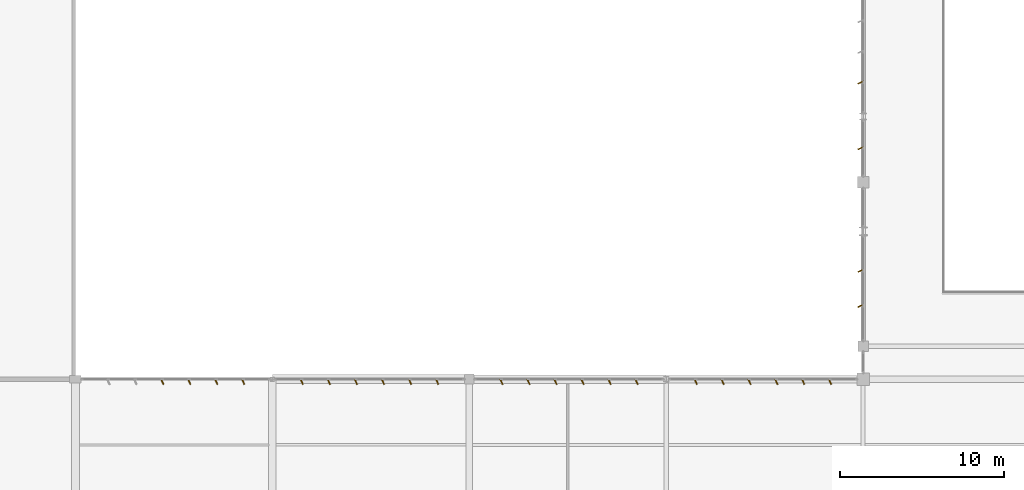
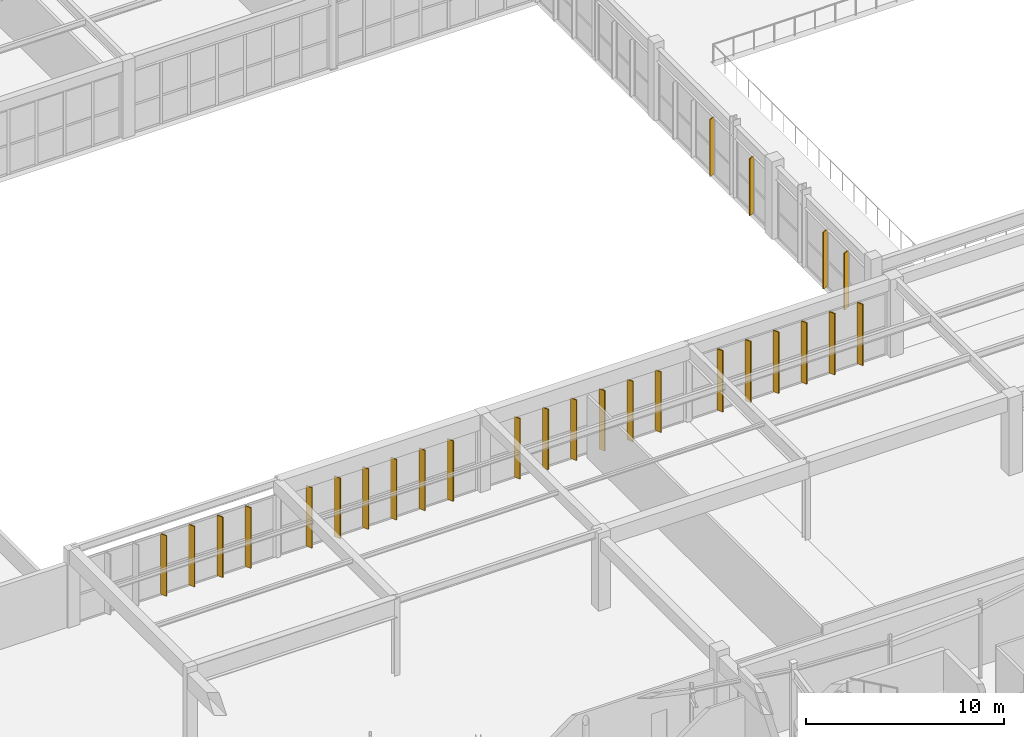
# One storey, part 169 of 186: 26 shading devices.
"""IFC4 building model written with IfcOpenShell, lengths in metres."""

from ifc_helpers import new_model, si_unit, direction, frame, origin, origin_2d, place, context, subcontext, project, spatial, rectangle, extrude, material, layer, layer_set, type_object, element, save


model = new_model("IFC4")

# Units and contexts
model_context = context("Model", 3, precision=1e-05, world=origin(), true_north=direction((0.0, 1.0)))
body_context = subcontext(model_context, "Body", "Model", "MODEL_VIEW")
ifc_project = project(units=[si_unit("LENGTHUNIT", "METRE"), si_unit("AREAUNIT", "SQUARE_METRE"), si_unit("VOLUMEUNIT", "CUBIC_METRE"), si_unit("PLANEANGLEUNIT", "RADIAN"), si_unit("MASSUNIT", "GRAM", prefix="KILO")], contexts=[model_context])

# Site, building, storey
site_placement = place(None, origin())
site = spatial("IfcSite", under=ifc_project, at=site_placement, CompositionType="ELEMENT")
building_placement = place(site_placement, origin())
building = spatial("IfcBuilding", under=site, at=building_placement, Name="Tarnwether General Hospital", CompositionType="ELEMENT")
storey_placement = place(building_placement, frame((0.0, 0.0, 9.60009765625)))
storey = spatial("IfcBuildingStorey", under=building, at=storey_placement, Name="L02", CompositionType="ELEMENT", Elevation=9.60009765625)

# Shading devices
ifc_material = material(Name="Champagne-bronze anodised aluminium", Category="aluminium")
ifc_layer = layer(ifc_material, 0.06005859375)
ifc_layer_set = layer_set([ifc_layer], Name="Champagne-bronze anodised aluminium")
shading_device_type = type_object("IfcShadingDeviceType", Name="SH-FIN-BRZ", PredefinedType="USERDEFINED", material=ifc_layer_set)
for number, where, z_axis, x_axis, name in (
    (1, (107.840087890625, 50.069091796875, 0.0498046875), (0.0, 0.0, 1.0), (-0.422618261741, 0.906307787037, 0.0), "Champagne-Bronze Brise-Soleil Fin 0432"),
    (2, (107.840087890625, 52.2060546875, 0.0498046875), (0.0, 0.0, 1.0), (-0.422618261741, 0.906307787037, 0.0), "Champagne-Bronze Brise-Soleil Fin 0433"),
    (3, (107.840087890625, 59.675048828125, 0.0498046875), (0.0, 0.0, 1.0), (-0.422618261741, 0.906307787037, 0.0), "Champagne-Bronze Brise-Soleil Fin 0434"),
    (4, (107.840087890625, 63.678955078125, 0.0498046875), (0.0, 0.0, 1.0), (-0.422618261741, 0.906307787037, 0.0), "Champagne-Bronze Brise-Soleil Fin 0435"),
):
    element("IfcShadingDevice", number, at=place(storey_placement, frame(where, z_axis=z_axis, x_axis=x_axis)), inside=storey, type_object=shading_device_type, Name=name, ObjectType="SOLAR FIN", PredefinedType="USERDEFINED", context=body_context, shape_type="SweptSolid", body=[
        extrude(rectangle(XDim=0.06005859375, YDim=0.360107421875, at=origin_2d()), origin(), (0.0, 0.0, 1.0), 3.514892578125),
    ])
for number, where, z_axis, x_axis, name in (
    (5, (105.98095703125, 45.43994140625, 0.0498046875), (0.0, 0.0, 1.0), (-0.906307787037, -0.422618261741, 0.0), "Champagne-Bronze Brise-Soleil Fin 0442"),
    (6, (104.343994140625, 45.43994140625, 0.0498046875), (0.0, 0.0, 1.0), (-0.906307787037, -0.422618261741, 0.0), "Champagne-Bronze Brise-Soleil Fin 0443"),
    (7, (102.7080078125, 45.43994140625, 0.0498046875), (0.0, 0.0, 1.0), (-0.906307787037, -0.422618261741, 0.0), "Champagne-Bronze Brise-Soleil Fin 0444"),
    (8, (101.071044921875, 45.43994140625, 0.0498046875), (0.0, 0.0, 1.0), (-0.906307787037, -0.422618261741, 0.0), "Champagne-Bronze Brise-Soleil Fin 0445"),
    (9, (99.43408203125, 45.43994140625, 0.0498046875), (0.0, 0.0, 1.0), (-0.906307787037, -0.422618261741, 0.0), "Champagne-Bronze Brise-Soleil Fin 0446"),
    (10, (97.798095703125, 45.43994140625, 0.0498046875), (0.0, 0.0, 1.0), (-0.906307787037, -0.422618261741, 0.0), "Champagne-Bronze Brise-Soleil Fin 0447"),
):
    element("IfcShadingDevice", number, at=place(storey_placement, frame(where, z_axis=z_axis, x_axis=x_axis)), inside=storey, type_object=shading_device_type, Name=name, ObjectType="SOLAR FIN", PredefinedType="USERDEFINED", context=body_context, shape_type="SweptSolid", body=[
        extrude(rectangle(XDim=0.06005859375, YDim=0.360107421875, at=origin_2d()), origin(), (0.0, 0.0, 1.0), 3.784912109375),
    ])
for number, where, z_axis, x_axis, name in (
    (11, (94.19091796875, 45.43994140625, 0.0498046875), (0.0, 0.0, 1.0), (-0.906307787037, -0.422618261741, 0.0), "Champagne-Bronze Brise-Soleil Fin 0448"),
    (12, (92.5439453125, 45.43994140625, 0.0498046875), (0.0, 0.0, 1.0), (-0.906307787037, -0.422618261741, 0.0), "Champagne-Bronze Brise-Soleil Fin 0449"),
    (13, (90.89697265625, 45.43994140625, 0.0498046875), (0.0, 0.0, 1.0), (-0.906307787037, -0.422618261741, 0.0), "Champagne-Bronze Brise-Soleil Fin 0450"),
    (14, (89.25, 45.43994140625, 0.0498046875), (0.0, 0.0, 1.0), (-0.906307787037, -0.422618261741, 0.0), "Champagne-Bronze Brise-Soleil Fin 0451"),
    (15, (87.60205078125, 45.43994140625, 0.0498046875), (0.0, 0.0, 1.0), (-0.906307787037, -0.422618261741, 0.0), "Champagne-Bronze Brise-Soleil Fin 0452"),
    (16, (85.955078125, 45.43994140625, 0.0498046875), (0.0, 0.0, 1.0), (-0.906307787037, -0.422618261741, 0.0), "Champagne-Bronze Brise-Soleil Fin 0453"),
    (17, (82.041015625, 45.43994140625, 0.0498046875), (0.0, 0.0, 1.0), (-0.906307787037, -0.422618261741, 0.0), "Champagne-Bronze Brise-Soleil Fin 0454"),
    (18, (80.389892578125, 45.43994140625, 0.0498046875), (0.0, 0.0, 1.0), (-0.906307787037, -0.422618261741, 0.0), "Champagne-Bronze Brise-Soleil Fin 0455"),
    (19, (78.739013671875, 45.43994140625, 0.0498046875), (0.0, 0.0, 1.0), (-0.906307787037, -0.422618261741, 0.0), "Champagne-Bronze Brise-Soleil Fin 0456"),
    (20, (77.089111328125, 45.43994140625, 0.0498046875), (0.0, 0.0, 1.0), (-0.906307787037, -0.422618261741, 0.0), "Champagne-Bronze Brise-Soleil Fin 0457"),
    (21, (75.43798828125, 45.43994140625, 0.0498046875), (0.0, 0.0, 1.0), (-0.906307787037, -0.422618261741, 0.0), "Champagne-Bronze Brise-Soleil Fin 0458"),
    (22, (73.787109375, 45.43994140625, 0.0498046875), (0.0, 0.0, 1.0), (-0.906307787037, -0.422618261741, 0.0), "Champagne-Bronze Brise-Soleil Fin 0459"),
    (23, (70.219970703125, 45.43994140625, 0.0498046875), (0.0, 0.0, 1.0), (-0.906307787037, -0.422618261741, 0.0), "Champagne-Bronze Brise-Soleil Fin 0460"),
    (24, (68.576904296875, 45.43994140625, 0.0498046875), (0.0, 0.0, 1.0), (-0.906307787037, -0.422618261741, 0.0), "Champagne-Bronze Brise-Soleil Fin 0461"),
    (25, (66.93310546875, 45.43994140625, 0.0498046875), (0.0, 0.0, 1.0), (-0.906307787037, -0.422618261741, 0.0), "Champagne-Bronze Brise-Soleil Fin 0462"),
    (26, (65.2890625, 45.43994140625, 0.0498046875), (0.0, 0.0, 1.0), (-0.906307787037, -0.422618261741, 0.0), "Champagne-Bronze Brise-Soleil Fin 0463"),
):
    element("IfcShadingDevice", number, at=place(storey_placement, frame(where, z_axis=z_axis, x_axis=x_axis)), inside=storey, type_object=shading_device_type, Name=name, ObjectType="SOLAR FIN", PredefinedType="USERDEFINED", context=body_context, shape_type="SweptSolid", body=[
        extrude(rectangle(XDim=0.06005859375, YDim=0.360107421875, at=origin_2d()), origin(), (0.0, 0.0, 1.0), 3.735107421875),
    ])

save(model, "model.ifc")
